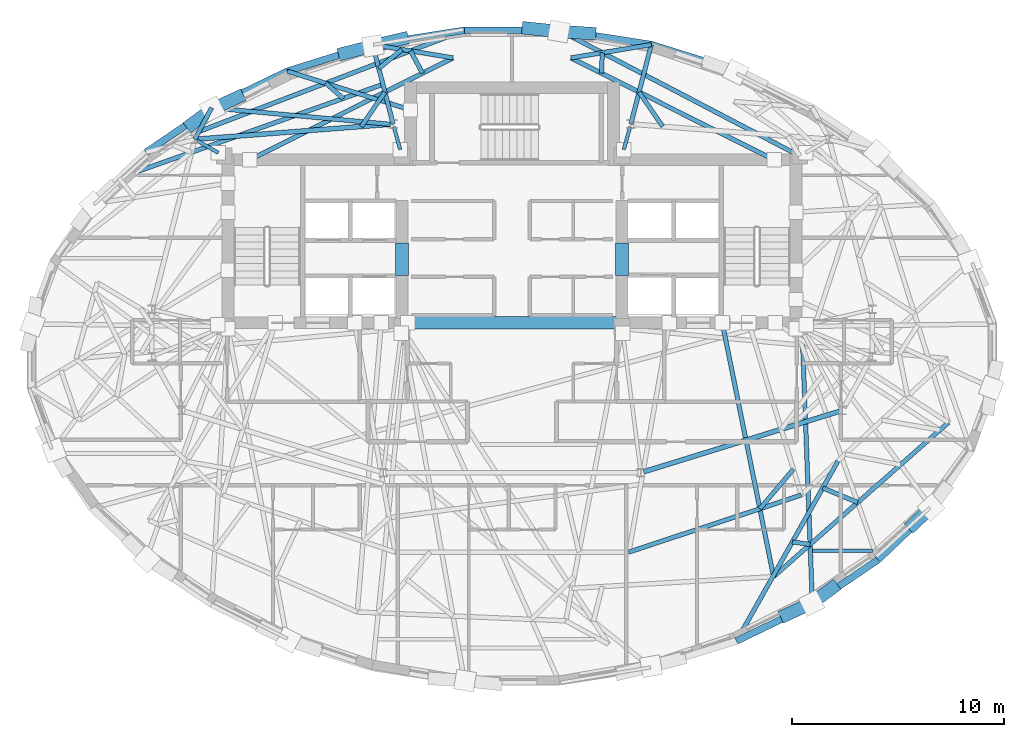
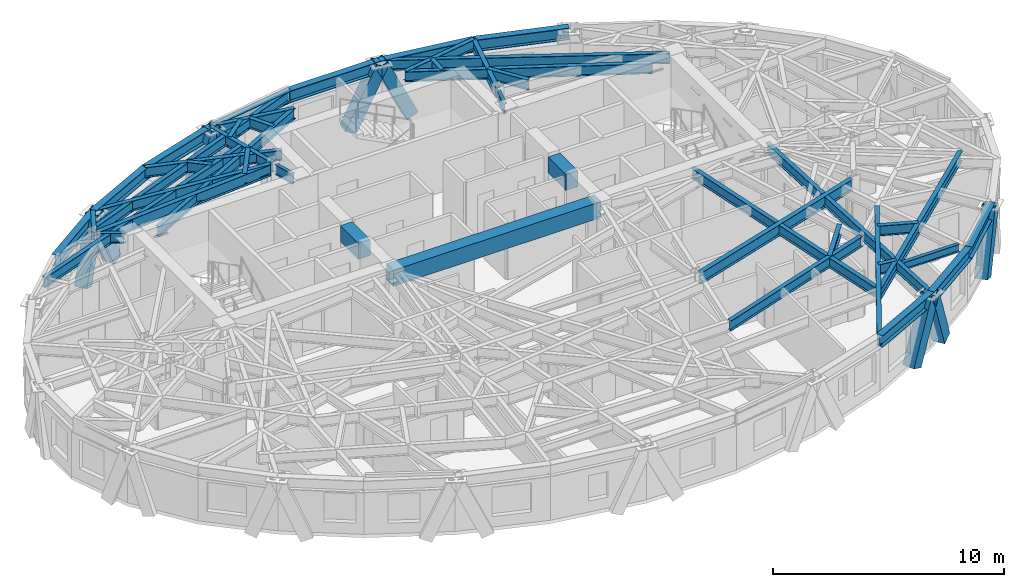
# One storey, part 3 of 14: 45 beams, 9 members.
"""IFC4 building model written with IfcOpenShell, lengths in metres."""

from ifc_helpers import new_model, si_unit, direction, frame, origin, origin_2d, place, context, subcontext, project, spatial, rectangle, hollow_rectangle, i_section, extrude, material, material_profile, profile_set, type_object, element, save


model = new_model("IFC4")

# Units and contexts
model_context = context("Model", 3, precision=1e-05, world=origin(), true_north=direction((0.0, 1.0)))
body_context = subcontext(model_context, "Body", "Model", "MODEL_VIEW")
ifc_project = project(units=[si_unit("LENGTHUNIT", "METRE"), si_unit("AREAUNIT", "SQUARE_METRE"), si_unit("VOLUMEUNIT", "CUBIC_METRE"), si_unit("PLANEANGLEUNIT", "RADIAN"), si_unit("MASSUNIT", "GRAM", prefix="KILO")], contexts=[model_context])

# Site, building, storey
site_placement = place(None, origin())
site = spatial("IfcSite", under=ifc_project, at=site_placement, CompositionType="ELEMENT")
building_placement = place(site_placement, origin())
building = spatial("IfcBuilding", under=site, at=building_placement, Name="Keldmark Tower", CompositionType="ELEMENT")
storey_placement = place(building_placement, frame((0.0, 0.0, 222.60009765625)))
storey = spatial("IfcBuildingStorey", under=building, at=storey_placement, Name="L62", CompositionType="ELEMENT", Elevation=222.60009765625)

# Beams
ifc_material_1 = material(Name="Steel ASTM A992 Grade 50", Category="steel")
ifc_material_profile_1 = material_profile(ifc_material_1, i_section(OverallWidth=0.177978515625, OverallDepth=0.403076171875, WebThickness=0.007568359375, FlangeThickness=0.010986328125, at=origin_2d()), Name="W16X36")
ifc_profile_set_1 = profile_set([ifc_material_profile_1], Name="Steel ASTM A992 Grade 50")
beam_type_1 = type_object("IfcBeamType", Name="Composite Floor Joist W16X36", PredefinedType="JOIST", material=ifc_profile_set_1)
beam_1_placement = place(storey_placement, frame((14.199462890625, -9.199951171875, 2.768310546875), z_axis=(1.0, 0.0, 0.0), x_axis=(0.0, 1.0, 0.0)))
element("IfcBeam", 1, at=beam_1_placement, inside=storey, type_object=beam_type_1, Name="L62 Composite Floor Joist J04", PredefinedType="JOIST", context=body_context, shape_type="SweptSolid", body=[
    extrude(i_section(OverallWidth=0.177978515625, OverallDepth=0.403076171875, WebThickness=0.007568359375, FlangeThickness=0.010986328125, at=origin_2d()), origin(), (0.0, 0.0, 1.0), 2.846923828125),
])
ifc_material_2 = material(Name="Concrete C50/60", Category="concrete")
ifc_material_profile_2 = material_profile(ifc_material_2, rectangle(XDim=0.60009765625, YDim=0.85009765625, at=origin_2d()), Name="RCB600X850")
ifc_profile_set_2 = profile_set([ifc_material_profile_2], Name="Concrete C50/60")
beam_type_2 = type_object("IfcBeamType", Name="Core Coupling Beam RCB600X850", PredefinedType="USERDEFINED", material=ifc_profile_set_2)
for number, where, z_axis, x_axis, name in (
    (2, (-5.199951171875, 3.800048828125, 2.544921875), (0.0, 1.0, 0.0), (-1.0, 0.0, 0.0), "L62 West Core Coupling Beam"),
    (3, (5.199951171875, 3.800048828125, 2.544921875), (0.0, 1.0, 0.0), (-1.0, 0.0, 0.0), "L62 East Core Coupling Beam"),
):
    element("IfcBeam", number, at=place(storey_placement, frame(where, z_axis=z_axis, x_axis=x_axis)), inside=storey, type_object=beam_type_2, Name=name, ObjectType="COUPLING BEAM", PredefinedType="USERDEFINED", context=body_context, shape_type="SweptSolid", body=[
        extrude(rectangle(XDim=0.60009765625, YDim=0.85009765625, at=origin_2d()), origin(), (0.0, 0.0, 1.0), 1.550048828125),
    ])
beam_2_placement = place(storey_placement, frame((-5.199951171875, 1.574951171875, 2.544921875), z_axis=(1.0, 0.0, 0.0), x_axis=(0.0, 1.0, 0.0)))
element("IfcBeam", 4, at=beam_2_placement, inside=storey, type_object=beam_type_2, Name="L62 Central South Core Coupling Beam", ObjectType="COUPLING BEAM", PredefinedType="USERDEFINED", context=body_context, shape_type="SweptSolid", body=[
    extrude(rectangle(XDim=0.60009765625, YDim=0.85009765625, at=origin_2d()), origin(), (0.0, 0.0, 1.0), 10.39990234375),
])

# Members
ifc_material_3 = material(Name="Steel ASTM A572 Grade 50", Category="steel")
ifc_material_profile_3 = material_profile(ifc_material_3, hollow_rectangle(XDim=0.60009765625, YDim=0.60009765625, WallThickness=0.034912109375, at=origin_2d()), Name="BOX600X600X35")
ifc_profile_set_3 = profile_set([ifc_material_profile_3], Name="Steel ASTM A572 Grade 50")
member_type = type_object("IfcMemberType", Name="Diagrid Zone 4 Brace BOX600X600X35", PredefinedType="BRACE", material=ifc_profile_set_3)
member_1_placement = place(storey_placement, frame((3.69677734375, 15.248779296875, -0.260009765625), z_axis=(-0.428979212021, 0.0274314202, 0.902897753259), x_axis=(-0.063815463334, -0.997961716019, 0.0)))
element("IfcMember", 5, at=member_1_placement, inside=storey, type_object=member_type, Name="L62 Perimeter Diagrid Brace 04A", PredefinedType="BRACE", context=body_context, shape_type="SweptSolid", body=[
    extrude(hollow_rectangle(XDim=0.60009765625, YDim=0.60009765625, WallThickness=0.034912109375, at=origin_2d()), origin(), (0.0, 0.0, 1.0), 3.4443359375),
])
member_2_placement = place(storey_placement, frame((0.7470703125, 15.493896484375, -0.260009765625), z_axis=(0.430162368502, -0.044311608143, 0.901663361853), x_axis=(0.102469121645, 0.994736185684, 0.0)))
element("IfcMember", 6, at=member_2_placement, inside=storey, type_object=member_type, Name="L62 Perimeter Diagrid Brace 04B", PredefinedType="BRACE", context=body_context, shape_type="SweptSolid", body=[
    extrude(hollow_rectangle(XDim=0.60009765625, YDim=0.60009765625, WallThickness=0.034912109375, at=origin_2d()), origin(), (0.0, 0.0, 1.0), 3.448974609375),
])
member_3_placement = place(storey_placement, frame((-5.163818359375, 14.9990234375, -0.260009765625), z_axis=(-0.412280141765, -0.098056970592, 0.905764823353), x_axis=(0.231386114919, -0.972861997317, 0.0)))
element("IfcMember", 7, at=member_3_placement, inside=storey, type_object=member_type, Name="L62 Perimeter Diagrid Brace 05A", PredefinedType="BRACE", context=body_context, shape_type="SweptSolid", body=[
    extrude(hollow_rectangle(XDim=0.60009765625, YDim=0.60009765625, WallThickness=0.034912109375, at=origin_2d()), origin(), (0.0, 0.0, 1.0), 3.433349609375),
])
member_4_placement = place(storey_placement, frame((-7.940673828125, 14.31005859375, -0.260009765625), z_axis=(0.401657220744, 0.103789425883, 0.90988968128), x_axis=(-0.250185252225, 0.968197985729, 0.0)))
element("IfcMember", 8, at=member_4_placement, inside=storey, type_object=member_type, Name="L62 Perimeter Diagrid Brace 05B", PredefinedType="BRACE", context=body_context, shape_type="SweptSolid", body=[
    extrude(hollow_rectangle(XDim=0.60009765625, YDim=0.60009765625, WallThickness=0.034912109375, at=origin_2d()), origin(), (0.0, 0.0, 1.0), 3.417724609375),
])
member_5_placement = place(storey_placement, frame((-12.95068359375, 12.239501953125, -0.260009765625), z_axis=(-0.359989342364, -0.16521737539, 0.918210701448), x_axis=(0.417118375287, -0.908852166746, 0.0)))
element("IfcMember", 9, at=member_5_placement, inside=storey, type_object=member_type, Name="L62 Perimeter Diagrid Brace 06A", PredefinedType="BRACE", context=body_context, shape_type="SweptSolid", body=[
    extrude(hollow_rectangle(XDim=0.60009765625, YDim=0.60009765625, WallThickness=0.034912109375, at=origin_2d()), origin(), (0.0, 0.0, 1.0), 3.386962890625),
])
member_6_placement = place(storey_placement, frame((-15.1494140625, 10.952880859375, -0.260009765625), z_axis=(0.29575431153, 0.219334083452, 0.929742946759), x_axis=(-0.595677817731, 0.803223466704, 0.0)))
element("IfcMember", 10, at=member_6_placement, inside=storey, type_object=member_type, Name="L62 Perimeter Diagrid Brace 06B", PredefinedType="BRACE", context=body_context, shape_type="SweptSolid", body=[
    extrude(hollow_rectangle(XDim=0.60009765625, YDim=0.60009765625, WallThickness=0.034912109375, at=origin_2d()), origin(), (0.0, 0.0, 1.0), 3.344970703125),
])
member_7_placement = place(storey_placement, frame((12.95068359375, -12.239501953125, -0.260009765625), z_axis=(0.359989342364, 0.16521737539, 0.918210701448), x_axis=(-0.417118375287, 0.908852166746, 0.0)))
element("IfcMember", 11, at=member_7_placement, inside=storey, type_object=member_type, Name="L62 Perimeter Diagrid Brace 14A", PredefinedType="BRACE", context=body_context, shape_type="SweptSolid", body=[
    extrude(hollow_rectangle(XDim=0.60009765625, YDim=0.60009765625, WallThickness=0.034912109375, at=origin_2d()), origin(), (0.0, 0.0, 1.0), 3.386962890625),
])
member_8_placement = place(storey_placement, frame((15.1494140625, -10.952880859375, -0.260009765625), z_axis=(-0.29575431153, -0.219334083452, 0.929742946759), x_axis=(0.595677817731, -0.803223466704, 0.0)))
element("IfcMember", 12, at=member_8_placement, inside=storey, type_object=member_type, Name="L62 Perimeter Diagrid Brace 14B", PredefinedType="BRACE", context=body_context, shape_type="SweptSolid", body=[
    extrude(hollow_rectangle(XDim=0.60009765625, YDim=0.60009765625, WallThickness=0.034912109375, at=origin_2d()), origin(), (0.0, 0.0, 1.0), 3.344970703125),
])
member_9_placement = place(storey_placement, frame((18.95458984375, -7.965576171875, -0.260009765625), z_axis=(0.257250878837, 0.242416543261, 0.935444388989), x_axis=(-0.685811727675, 0.727779000922, 0.0)))
element("IfcMember", 13, at=member_9_placement, inside=storey, type_object=member_type, Name="L62 Perimeter Diagrid Brace 15A", PredefinedType="BRACE", context=body_context, shape_type="SweptSolid", body=[
    extrude(hollow_rectangle(XDim=0.60009765625, YDim=0.60009765625, WallThickness=0.034912109375, at=origin_2d()), origin(), (0.0, 0.0, 1.0), 3.324462890625),
])

# Beams
ifc_material_4 = material(Name="Steel ASTM A992 Grade 50", Category="steel")
ifc_material_profile_4 = material_profile(ifc_material_4, i_section(OverallWidth=0.22802734375, OverallDepth=0.60302734375, WebThickness=0.010498046875, FlangeThickness=0.014892578125, at=origin_2d()), Name="W24X68")
ifc_profile_set_4 = profile_set([ifc_material_profile_4], Name="Steel ASTM A992 Grade 50")
beam_type_3 = type_object("IfcBeamType", Name="Primary Floor Girder W24X68", PredefinedType="BEAM", material=ifc_profile_set_4)
beam_3_placement = place(storey_placement, frame((-5.75830078125, 10.956298828125, 2.66845703125), z_axis=(-0.997037147832, -0.076921556421, 0.0), x_axis=(0.076921556421, -0.997037147832, 0.0)))
element("IfcBeam", 14, at=beam_3_placement, inside=storey, type_object=beam_type_3, Name="L62 Floor Ring Girder FG-R04", PredefinedType="BEAM", context=body_context, shape_type="SweptSolid", body=[
    extrude(i_section(OverallWidth=0.22802734375, OverallDepth=0.60302734375, WebThickness=0.010498046875, FlangeThickness=0.014892578125, at=origin_2d()), origin(), (0.0, 0.0, 1.0), 9.125),
])
beam_4_placement = place(storey_placement, frame((6.223388671875, -5.471435546875, 2.66845703125), z_axis=(0.955383255089, 0.295368982622, 0.0), x_axis=(-0.295368982622, 0.955383255089, 0.0)))
element("IfcBeam", 15, at=beam_4_placement, inside=storey, type_object=beam_type_3, Name="L62 Floor Ring Girder FG-R10", PredefinedType="BEAM", context=body_context, shape_type="SweptSolid", body=[
    extrude(i_section(OverallWidth=0.22802734375, OverallDepth=0.60302734375, WebThickness=0.010498046875, FlangeThickness=0.014892578125, at=origin_2d()), origin(), (0.0, 0.0, 1.0), 9.69140625),
])
ifc_material_5 = material(Name="Steel ASTM A992 Grade 50", Category="steel")
ifc_material_profile_5 = material_profile(ifc_material_5, i_section(OverallWidth=0.166015625, OverallDepth=0.529052734375, WebThickness=0.009765625, FlangeThickness=0.013671875, at=origin_2d()), Name="W21X50")
ifc_profile_set_5 = profile_set([ifc_material_profile_5], Name="Steel ASTM A992 Grade 50")
beam_type_4 = type_object("IfcBeamType", Name="Radial Tie Girder W21X50", PredefinedType="BEAM", material=ifc_profile_set_5)
for number, where, z_axis, x_axis, name in (
    (16, (5.581298828125, 10.83203125, 2.705322265625), (-0.265936023434, -0.963990680163, 0.0), (0.963990680163, -0.265936023434, 0.0), "L62 Floor Radial Girder FG-C03"),
    (17, (-5.581298828125, 10.83203125, 2.705322265625), (0.265936023434, -0.963990680163, 0.0), (0.963990680163, 0.265936023434, 0.0), "L62 Floor Radial Girder FG-C04"),
):
    element("IfcBeam", number, at=place(storey_placement, frame(where, z_axis=z_axis, x_axis=x_axis)), inside=storey, type_object=beam_type_4, Name=name, PredefinedType="BEAM", context=body_context, shape_type="SweptSolid", body=[
        extrude(i_section(OverallWidth=0.166015625, OverallDepth=0.529052734375, WebThickness=0.009765625, FlangeThickness=0.013671875, at=origin_2d()), origin(), (0.0, 0.0, 1.0), 1.113525390625),
    ])
beam_5_placement = place(storey_placement, frame((-14.8740234375, 10.174560546875, 2.705322265625), z_axis=(0.869238046195, -0.494393789451, 0.0), x_axis=(0.494393789451, 0.869238046195, 0.0)))
element("IfcBeam", 18, at=beam_5_placement, inside=storey, type_object=beam_type_4, Name="L62 Floor Radial Girder FG-C05", PredefinedType="BEAM", context=body_context, shape_type="SweptSolid", body=[
    extrude(i_section(OverallWidth=0.166015625, OverallDepth=0.529052734375, WebThickness=0.009765625, FlangeThickness=0.013671875, at=origin_2d()), origin(), (0.0, 0.0, 1.0), 1.145751953125),
])
ifc_material_6 = material(Name="Steel ASTM A992 Grade 50", Category="steel")
ifc_material_profile_6 = material_profile(ifc_material_6, i_section(OverallWidth=0.2099609375, OverallDepth=0.537109375, WebThickness=0.010986328125, FlangeThickness=0.017333984375, at=origin_2d()), Name="W21X68")
ifc_profile_set_6 = profile_set([ifc_material_profile_6], Name="Steel ASTM A992 Grade 50")
beam_type_5 = type_object("IfcBeamType", Name="Radial Tie Girder W21X68", PredefinedType="BEAM", material=ifc_profile_set_6)
beam_6_placement = place(storey_placement, frame((5.526123046875, -9.263671875, 2.701416015625), z_axis=(0.949448730042, 0.313922138469, 0.0), x_axis=(-0.313922138469, 0.949448730042, 0.0)))
element("IfcBeam", 19, at=beam_6_placement, inside=storey, type_object=beam_type_5, Name="L62 Perimeter Collector Ring Beam CRG1-M10", PredefinedType="BEAM", context=body_context, shape_type="SweptSolid", body=[
    extrude(i_section(OverallWidth=0.2099609375, OverallDepth=0.537109375, WebThickness=0.010986328125, FlangeThickness=0.017333984375, at=origin_2d()), origin(), (0.0, 0.0, 1.0), 8.58056640625),
])
beam_7_placement = place(storey_placement, frame((13.30078125, -5.34814453125, 2.701416015625), z_axis=(-0.646861611228, -0.762607406153, 0.0), x_axis=(0.762607406153, -0.646861611228, 0.0)))
element("IfcBeam", 20, at=beam_7_placement, inside=storey, type_object=beam_type_5, Name="L62 Framing Pin Header PH-011", PredefinedType="BEAM", context=body_context, shape_type="SweptSolid", body=[
    extrude(i_section(OverallWidth=0.2099609375, OverallDepth=0.537109375, WebThickness=0.010986328125, FlangeThickness=0.017333984375, at=origin_2d()), origin(), (0.0, 0.0, 1.0), 2.450927734375),
])
beam_8_placement = place(storey_placement, frame((9.939208984375, 1.574951171875, 2.701416015625), z_axis=(0.197990966986, -0.980203844612, 0.0), x_axis=(0.980203844612, 0.197990966986, 0.0)))
element("IfcBeam", 21, at=beam_8_placement, inside=storey, type_object=beam_type_5, Name="L62 Sub-Ring Step Girder STP2-M11", PredefinedType="BEAM", context=body_context, shape_type="SweptSolid", body=[
    extrude(i_section(OverallWidth=0.2099609375, OverallDepth=0.537109375, WebThickness=0.010986328125, FlangeThickness=0.017333984375, at=origin_2d()), origin(), (0.0, 0.0, 1.0), 12.243408203125),
])
beam_9_placement = place(storey_placement, frame((12.36328125, -10.426025390625, 2.701416015625), z_axis=(0.750204523136, 0.661205848027, 0.0), x_axis=(-0.661205848027, 0.750204523136, 0.0)))
element("IfcBeam", 22, at=beam_9_placement, inside=storey, type_object=beam_type_5, Name="L62 Perimeter Collector Ring Beam CRG2-M11", PredefinedType="BEAM", context=body_context, shape_type="SweptSolid", body=[
    extrude(i_section(OverallWidth=0.2099609375, OverallDepth=0.537109375, WebThickness=0.010986328125, FlangeThickness=0.017333984375, at=origin_2d()), origin(), (0.0, 0.0, 1.0), 11.013916015625),
])
for number, where, z_axis, x_axis, name in (
    (23, (5.61865234375, 10.967041015625, 2.701416015625), (0.249270515115, 0.968433895676, 0.0), (-0.968433895676, 0.249270515115, 0.0), "L62 Perimeter Column Bracket RT-07"),
    (24, (-5.61865234375, 10.967041015625, 2.701416015625), (-0.249270515115, 0.968433895676, 0.0), (-0.968433895676, -0.249270515115, 0.0), "L62 Perimeter Column Bracket RT-10"),
):
    element("IfcBeam", number, at=place(storey_placement, frame(where, z_axis=z_axis, x_axis=x_axis)), inside=storey, type_object=beam_type_5, Name=name, PredefinedType="BEAM", context=body_context, shape_type="SweptSolid", body=[
        extrude(i_section(OverallWidth=0.2099609375, OverallDepth=0.537109375, WebThickness=0.010986328125, FlangeThickness=0.017333984375, at=origin_2d()), origin(), (0.0, 0.0, 1.0), 3.87744140625),
    ])
beam_10_placement = place(storey_placement, frame((-14.995849609375, 10.24365234375, 2.701416015625), z_axis=(0.47212516294, 0.881531525539, 0.0), x_axis=(-0.881531525539, 0.47212516294, 0.0)))
element("IfcBeam", 25, at=beam_10_placement, inside=storey, type_object=beam_type_5, Name="L62 Perimeter Column Bracket RT-12", PredefinedType="BEAM", context=body_context, shape_type="SweptSolid", body=[
    extrude(i_section(OverallWidth=0.2099609375, OverallDepth=0.537109375, WebThickness=0.010986328125, FlangeThickness=0.017333984375, at=origin_2d()), origin(), (0.0, 0.0, 1.0), 1.689453125),
])
beam_11_placement = place(storey_placement, frame((-6.101806640625, 12.844482421875, 2.701416015625), z_axis=(-0.942334916777, -0.334671338215, 0.0), x_axis=(0.334671338215, -0.942334916777, 0.0)))
element("IfcBeam", 26, at=beam_11_placement, inside=storey, type_object=beam_type_5, Name="L62 Intermediate Radial Step Girder RT-14M", PredefinedType="BEAM", context=body_context, shape_type="SweptSolid", body=[
    extrude(i_section(OverallWidth=0.2099609375, OverallDepth=0.537109375, WebThickness=0.010986328125, FlangeThickness=0.017333984375, at=origin_2d()), origin(), (0.0, 0.0, 1.0), 13.240234375),
])
beam_12_placement = place(storey_placement, frame((15.406982421875, -4.9580078125, 2.701416015625), z_axis=(-0.490887835504, -0.871222780323, 0.0), x_axis=(0.871222780323, -0.490887835504, 0.0)))
element("IfcBeam", 27, at=beam_12_placement, inside=storey, type_object=beam_type_5, Name="L62 Perimeter Radial Tie Girder RT-27", PredefinedType="BEAM", context=body_context, shape_type="SweptSolid", body=[
    extrude(i_section(OverallWidth=0.2099609375, OverallDepth=0.537109375, WebThickness=0.010986328125, FlangeThickness=0.017333984375, at=origin_2d()), origin(), (0.0, 0.0, 1.0), 9.765380859375),
])
beam_13_placement = place(storey_placement, frame((13.249755859375, -8.78662109375, 2.701416015625), z_axis=(0.99073734546, -0.135792165866, 0.0), x_axis=(0.135792165866, 0.99073734546, 0.0)))
element("IfcBeam", 28, at=beam_13_placement, inside=storey, type_object=beam_type_5, Name="L62 Framing Pin Header PH-033", PredefinedType="BEAM", context=body_context, shape_type="SweptSolid", body=[
    extrude(i_section(OverallWidth=0.2099609375, OverallDepth=0.537109375, WebThickness=0.010986328125, FlangeThickness=0.017333984375, at=origin_2d()), origin(), (0.0, 0.0, 1.0), 0.850341796875),
])
beam_14_placement = place(storey_placement, frame((13.699951171875, 1.574951171875, 2.701416015625), z_axis=(0.037417137657, -0.999299733718, 0.0), x_axis=(0.999299733718, 0.037417137657, 0.0)))
element("IfcBeam", 29, at=beam_14_placement, inside=storey, type_object=beam_type_5, Name="L62 Perimeter Radial Tie Girder RT-28", PredefinedType="BEAM", context=body_context, shape_type="SweptSolid", body=[
    extrude(i_section(OverallWidth=0.2099609375, OverallDepth=0.537109375, WebThickness=0.010986328125, FlangeThickness=0.017333984375, at=origin_2d()), origin(), (0.0, 0.0, 1.0), 13.317138671875),
])
beam_15_placement = place(storey_placement, frame((14.68798828125, -6.234375, 2.701416015625), z_axis=(0.923463992369, -0.383685098484, 0.0), x_axis=(0.383685098484, 0.923463992369, 0.0)))
element("IfcBeam", 30, at=beam_15_placement, inside=storey, type_object=beam_type_5, Name="L62 Framing Pin Header PH-034", PredefinedType="BEAM", context=body_context, shape_type="SweptSolid", body=[
    extrude(i_section(OverallWidth=0.2099609375, OverallDepth=0.537109375, WebThickness=0.010986328125, FlangeThickness=0.017333984375, at=origin_2d()), origin(), (0.0, 0.0, 1.0), 1.789306640625),
])
beam_16_placement = place(storey_placement, frame((7.122802734375, 10.85107421875, 2.701416015625), z_axis=(-0.565850749296, 0.824507689182, 0.0), x_axis=(-0.824507689182, -0.565850749296, 0.0)))
element("IfcBeam", 31, at=beam_16_placement, inside=storey, type_object=beam_type_5, Name="L62 Framing Pin Header PH-038", PredefinedType="BEAM", context=body_context, shape_type="SweptSolid", body=[
    extrude(i_section(OverallWidth=0.2099609375, OverallDepth=0.537109375, WebThickness=0.010986328125, FlangeThickness=0.017333984375, at=origin_2d()), origin(), (0.0, 0.0, 1.0), 1.9716796875),
])
beam_17_placement = place(storey_placement, frame((12.389404296875, 9.27490234375, 2.701416015625), z_axis=(-0.893831010947, 0.448403973966, 0.0), x_axis=(-0.448403973966, -0.893831010947, 0.0)))
element("IfcBeam", 32, at=beam_17_placement, inside=storey, type_object=beam_type_5, Name="L62 Crown Step Radial Girder RT-08RN2", PredefinedType="BEAM", context=body_context, shape_type="SweptSolid", body=[
    extrude(i_section(OverallWidth=0.2099609375, OverallDepth=0.537109375, WebThickness=0.010986328125, FlangeThickness=0.017333984375, at=origin_2d()), origin(), (0.0, 0.0, 1.0), 10.743408203125),
])
beam_18_placement = place(storey_placement, frame((2.78662109375, 14.09228515625, 2.701416015625), z_axis=(0.986528969078, 0.163586653398, 0.0), x_axis=(-0.163586653398, 0.986528969078, 0.0)))
element("IfcBeam", 33, at=beam_18_placement, inside=storey, type_object=beam_type_5, Name="L62 Crown Step Collector Chord RT-08RP2", PredefinedType="BEAM", context=body_context, shape_type="SweptSolid", body=[
    extrude(i_section(OverallWidth=0.2099609375, OverallDepth=0.537109375, WebThickness=0.010986328125, FlangeThickness=0.017333984375, at=origin_2d()), origin(), (0.0, 0.0, 1.0), 3.850341796875),
])
beam_19_placement = place(storey_placement, frame((4.22705078125, 13.369873046875, 2.701416015625), z_axis=(0.043076468497, 0.999071778133, 0.0), x_axis=(-0.999071778133, 0.043076468497, 0.0)))
element("IfcBeam", 34, at=beam_19_placement, inside=storey, type_object=beam_type_5, Name="L62 Framing Pin Header PH-039", PredefinedType="BEAM", context=body_context, shape_type="SweptSolid", body=[
    extrude(i_section(OverallWidth=0.2099609375, OverallDepth=0.537109375, WebThickness=0.010986328125, FlangeThickness=0.017333984375, at=origin_2d()), origin(), (0.0, 0.0, 1.0), 0.96923828125),
])
beam_20_placement = place(storey_placement, frame((13.425048828125, 9.550048828125, 2.701416015625), z_axis=(-0.886154165262, 0.46339054305, 0.0), x_axis=(-0.46339054305, -0.886154165262, 0.0)))
element("IfcBeam", 35, at=beam_20_placement, inside=storey, type_object=beam_type_5, Name="L62 Perimeter Radial Tie Girder RT-08R", PredefinedType="BEAM", context=body_context, shape_type="SweptSolid", body=[
    extrude(i_section(OverallWidth=0.2099609375, OverallDepth=0.537109375, WebThickness=0.010986328125, FlangeThickness=0.017333984375, at=origin_2d()), origin(), (0.0, 0.0, 1.0), 12.62548828125),
])
beam_21_placement = place(storey_placement, frame((-7.122802734375, 10.85107421875, 2.701416015625), z_axis=(0.565850749296, 0.824507689182, 0.0), x_axis=(-0.824507689182, 0.565850749296, 0.0)))
element("IfcBeam", 36, at=beam_21_placement, inside=storey, type_object=beam_type_5, Name="L62 Framing Pin Header PH-040", PredefinedType="BEAM", context=body_context, shape_type="SweptSolid", body=[
    extrude(i_section(OverallWidth=0.2099609375, OverallDepth=0.537109375, WebThickness=0.010986328125, FlangeThickness=0.017333984375, at=origin_2d()), origin(), (0.0, 0.0, 1.0), 1.9716796875),
])
beam_22_placement = place(storey_placement, frame((-12.389404296875, 9.27490234375, 2.701416015625), z_axis=(0.893831010947, 0.448403973966, 0.0), x_axis=(-0.448403973966, 0.893831010947, 0.0)))
element("IfcBeam", 37, at=beam_22_placement, inside=storey, type_object=beam_type_5, Name="L62 Crown Step Radial Girder RT-09RN1", PredefinedType="BEAM", context=body_context, shape_type="SweptSolid", body=[
    extrude(i_section(OverallWidth=0.2099609375, OverallDepth=0.537109375, WebThickness=0.010986328125, FlangeThickness=0.017333984375, at=origin_2d()), origin(), (0.0, 0.0, 1.0), 10.743408203125),
])
beam_23_placement = place(storey_placement, frame((-2.78662109375, 14.09228515625, 2.701416015625), z_axis=(-0.986528969078, 0.163586653398, 0.0), x_axis=(-0.163586653398, -0.986528969078, 0.0)))
element("IfcBeam", 38, at=beam_23_placement, inside=storey, type_object=beam_type_5, Name="L62 Crown Step Collector Chord RT-09RP1", PredefinedType="BEAM", context=body_context, shape_type="SweptSolid", body=[
    extrude(i_section(OverallWidth=0.2099609375, OverallDepth=0.537109375, WebThickness=0.010986328125, FlangeThickness=0.017333984375, at=origin_2d()), origin(), (0.0, 0.0, 1.0), 3.850341796875),
])
beam_24_placement = place(storey_placement, frame((-6.295166015625, 13.595703125, 2.701416015625), z_axis=(0.774026436255, 0.633153280002, 0.0), x_axis=(-0.633153280002, 0.774026436255, 0.0)))
element("IfcBeam", 39, at=beam_24_placement, inside=storey, type_object=beam_type_5, Name="L62 Framing Pin Header PH-041", PredefinedType="BEAM", context=body_context, shape_type="SweptSolid", body=[
    extrude(i_section(OverallWidth=0.2099609375, OverallDepth=0.537109375, WebThickness=0.010986328125, FlangeThickness=0.017333984375, at=origin_2d()), origin(), (0.0, 0.0, 1.0), 1.416015625),
])
beam_25_placement = place(storey_placement, frame((-4.22705078125, 13.369873046875, 2.701416015625), z_axis=(-0.474682362381, 0.880157176216, 0.0), x_axis=(-0.880157176216, -0.474682362381, 0.0)))
element("IfcBeam", 40, at=beam_25_placement, inside=storey, type_object=beam_type_5, Name="L62 Framing Pin Header PH-042", PredefinedType="BEAM", context=body_context, shape_type="SweptSolid", body=[
    extrude(i_section(OverallWidth=0.2099609375, OverallDepth=0.537109375, WebThickness=0.010986328125, FlangeThickness=0.017333984375, at=origin_2d()), origin(), (0.0, 0.0, 1.0), 1.199462890625),
])
beam_26_placement = place(storey_placement, frame((-14.79638671875, 10.615966796875, 2.701416015625), z_axis=(0.934486008333, 0.355999859873, 0.0), x_axis=(-0.355999859873, 0.934486008333, 0.0)))
element("IfcBeam", 41, at=beam_26_placement, inside=storey, type_object=beam_type_5, Name="L62 Perimeter Radial Tie Girder RT-09R", PredefinedType="BEAM", context=body_context, shape_type="SweptSolid", body=[
    extrude(i_section(OverallWidth=0.2099609375, OverallDepth=0.537109375, WebThickness=0.010986328125, FlangeThickness=0.017333984375, at=origin_2d()), origin(), (0.0, 0.0, 1.0), 13.440185546875),
])
beam_27_placement = place(storey_placement, frame((-5.75830078125, 10.956298828125, 2.701416015625), z_axis=(-0.99579320493, 0.091629105724, 0.0), x_axis=(-0.091629105724, -0.99579320493, 0.0)))
element("IfcBeam", 42, at=beam_27_placement, inside=storey, type_object=beam_type_5, Name="L62 Straddling Support Chord RT-11RB", PredefinedType="BEAM", context=body_context, shape_type="SweptSolid", body=[
    extrude(i_section(OverallWidth=0.2099609375, OverallDepth=0.537109375, WebThickness=0.010986328125, FlangeThickness=0.017333984375, at=origin_2d()), origin(), (0.0, 0.0, 1.0), 8.4755859375),
])
beam_28_placement = place(storey_placement, frame((-7.973388671875, 12.179931640625, 2.701416015625), z_axis=(-0.758833809893, 0.651284307322, 0.0), x_axis=(-0.651284307322, -0.758833809893, 0.0)))
element("IfcBeam", 43, at=beam_28_placement, inside=storey, type_object=beam_type_5, Name="L62 Framing Pin Header PH-043", PredefinedType="BEAM", context=body_context, shape_type="SweptSolid", body=[
    extrude(i_section(OverallWidth=0.2099609375, OverallDepth=0.537109375, WebThickness=0.010986328125, FlangeThickness=0.017333984375, at=origin_2d()), origin(), (0.0, 0.0, 1.0), 1.10107421875),
])
beam_29_placement = place(storey_placement, frame((-4.800048828125, 11.63330078125, 2.701416015625), z_axis=(-0.953735092493, 0.300648255187, 0.0), x_axis=(-0.300648255187, -0.953735092493, 0.0)))
element("IfcBeam", 44, at=beam_29_placement, inside=storey, type_object=beam_type_5, Name="L62 Perimeter Radial Tie Girder RT-11R", PredefinedType="BEAM", context=body_context, shape_type="SweptSolid", body=[
    extrude(i_section(OverallWidth=0.2099609375, OverallDepth=0.537109375, WebThickness=0.010986328125, FlangeThickness=0.017333984375, at=origin_2d()), origin(), (0.0, 0.0, 1.0), 6.09521484375),
])
ifc_material_7 = material(Name="Steel ASTM A992 Grade 50", Category="steel")
ifc_material_profile_7 = material_profile(ifc_material_7, i_section(OverallWidth=0.326904296875, OverallDepth=0.6220703125, WebThickness=0.015380859375, FlangeThickness=0.0244140625, at=origin_2d()), Name="W24X131")
ifc_profile_set_7 = profile_set([ifc_material_profile_7], Name="Steel ASTM A992 Grade 50")
beam_type_6 = type_object("IfcBeamType", Name="Spandrel Ring Beam W24X131", PredefinedType="SPANDREL", material=ifc_profile_set_7)
beam_30_placement = place(storey_placement, frame((10.61328125, 13.4658203125, 2.658935546875), z_axis=(-0.954643532685, 0.297751113352, 0.0), x_axis=(-0.297751113352, -0.954643532685, 0.0)))
element("IfcBeam", 45, at=beam_30_placement, inside=storey, type_object=beam_type_6, Name="L62 Perimeter Spandrel Ring Beam SRB-06", PredefinedType="SPANDREL", context=body_context, shape_type="SweptSolid", body=[
    extrude(i_section(OverallWidth=0.326904296875, OverallDepth=0.6220703125, WebThickness=0.015380859375, FlangeThickness=0.0244140625, at=origin_2d()), origin(), (0.0, 0.0, 1.0), 4.219482421875),
])
beam_31_placement = place(storey_placement, frame((6.585205078125, 14.72216796875, 2.658935546875), z_axis=(-0.988045590858, 0.15416196154, 0.0), x_axis=(-0.15416196154, -0.988045590858, 0.0)))
element("IfcBeam", 46, at=beam_31_placement, inside=storey, type_object=beam_type_6, Name="L62 Perimeter Spandrel Ring Beam SRB-07", PredefinedType="SPANDREL", context=body_context, shape_type="SweptSolid", body=[
    extrude(i_section(OverallWidth=0.326904296875, OverallDepth=0.6220703125, WebThickness=0.015380859375, FlangeThickness=0.0244140625, at=origin_2d()), origin(), (0.0, 0.0, 1.0), 4.40087890625),
])
beam_32_placement = place(storey_placement, frame((2.23681640625, 15.400634765625, 2.658935546875), z_axis=(-1.0, 0.0, 0.0), x_axis=(0.0, -1.0, 0.0)))
element("IfcBeam", 47, at=beam_32_placement, inside=storey, type_object=beam_type_6, Name="L62 Perimeter Spandrel Ring Beam SRB-08", PredefinedType="SPANDREL", context=body_context, shape_type="SweptSolid", body=[
    extrude(i_section(OverallWidth=0.326904296875, OverallDepth=0.6220703125, WebThickness=0.015380859375, FlangeThickness=0.0244140625, at=origin_2d()), origin(), (0.0, 0.0, 1.0), 4.4736328125),
])
beam_33_placement = place(storey_placement, frame((-2.23681640625, 15.400634765625, 2.658935546875), z_axis=(-0.988045590858, -0.15416196154, 0.0), x_axis=(0.15416196154, -0.988045590858, 0.0)))
element("IfcBeam", 48, at=beam_33_placement, inside=storey, type_object=beam_type_6, Name="L62 Perimeter Spandrel Ring Beam SRB-09", PredefinedType="SPANDREL", context=body_context, shape_type="SweptSolid", body=[
    extrude(i_section(OverallWidth=0.326904296875, OverallDepth=0.6220703125, WebThickness=0.015380859375, FlangeThickness=0.0244140625, at=origin_2d()), origin(), (0.0, 0.0, 1.0), 4.40087890625),
])
beam_34_placement = place(storey_placement, frame((-6.585205078125, 14.72216796875, 2.658935546875), z_axis=(-0.954643532685, -0.297751113352, 0.0), x_axis=(0.297751113352, -0.954643532685, 0.0)))
element("IfcBeam", 49, at=beam_34_placement, inside=storey, type_object=beam_type_6, Name="L62 Perimeter Spandrel Ring Beam SRB-10", PredefinedType="SPANDREL", context=body_context, shape_type="SweptSolid", body=[
    extrude(i_section(OverallWidth=0.326904296875, OverallDepth=0.6220703125, WebThickness=0.015380859375, FlangeThickness=0.0244140625, at=origin_2d()), origin(), (0.0, 0.0, 1.0), 4.219482421875),
])
beam_35_placement = place(storey_placement, frame((-10.61328125, 13.4658203125, 2.658935546875), z_axis=(-0.900331335269, -0.435205108808, 0.0), x_axis=(0.435205108808, -0.900331335269, 0.0)))
element("IfcBeam", 50, at=beam_35_placement, inside=storey, type_object=beam_type_6, Name="L62 Perimeter Spandrel Ring Beam SRB-11", PredefinedType="SPANDREL", context=body_context, shape_type="SweptSolid", body=[
    extrude(i_section(OverallWidth=0.326904296875, OverallDepth=0.6220703125, WebThickness=0.015380859375, FlangeThickness=0.0244140625, at=origin_2d()), origin(), (0.0, 0.0, 1.0), 3.98193359375),
])
beam_36_placement = place(storey_placement, frame((-14.1982421875, 11.73291015625, 2.658935546875), z_axis=(-0.827635686249, -0.561265686504, 0.0), x_axis=(0.561265686504, -0.827635686249, 0.0)))
element("IfcBeam", 51, at=beam_36_placement, inside=storey, type_object=beam_type_6, Name="L62 Perimeter Spandrel Ring Beam SRB-12", PredefinedType="SPANDREL", context=body_context, shape_type="SweptSolid", body=[
    extrude(i_section(OverallWidth=0.326904296875, OverallDepth=0.6220703125, WebThickness=0.015380859375, FlangeThickness=0.0244140625, at=origin_2d()), origin(), (0.0, 0.0, 1.0), 3.748779296875),
])
beam_37_placement = place(storey_placement, frame((10.61328125, -13.4658203125, 2.658935546875), z_axis=(0.900331335269, 0.435205108808, 0.0), x_axis=(-0.435205108808, 0.900331335269, 0.0)))
element("IfcBeam", 52, at=beam_37_placement, inside=storey, type_object=beam_type_6, Name="L62 Perimeter Spandrel Ring Beam SRB-27", PredefinedType="SPANDREL", context=body_context, shape_type="SweptSolid", body=[
    extrude(i_section(OverallWidth=0.326904296875, OverallDepth=0.6220703125, WebThickness=0.015380859375, FlangeThickness=0.0244140625, at=origin_2d()), origin(), (0.0, 0.0, 1.0), 3.98193359375),
])
beam_38_placement = place(storey_placement, frame((14.1982421875, -11.73291015625, 2.658935546875), z_axis=(0.827635686249, 0.561265686504, 0.0), x_axis=(-0.561265686504, 0.827635686249, 0.0)))
element("IfcBeam", 53, at=beam_38_placement, inside=storey, type_object=beam_type_6, Name="L62 Perimeter Spandrel Ring Beam SRB-28", PredefinedType="SPANDREL", context=body_context, shape_type="SweptSolid", body=[
    extrude(i_section(OverallWidth=0.326904296875, OverallDepth=0.6220703125, WebThickness=0.015380859375, FlangeThickness=0.0244140625, at=origin_2d()), origin(), (0.0, 0.0, 1.0), 3.748779296875),
])
beam_39_placement = place(storey_placement, frame((17.30078125, -9.62890625, 2.658935546875), z_axis=(0.724503260132, 0.689271373306, 0.0), x_axis=(-0.689271373306, 0.724503260132, 0.0)))
element("IfcBeam", 54, at=beam_39_placement, inside=storey, type_object=beam_type_6, Name="L62 Perimeter Spandrel Ring Beam SRB-29", PredefinedType="SPANDREL", context=body_context, shape_type="SweptSolid", body=[
    extrude(i_section(OverallWidth=0.326904296875, OverallDepth=0.6220703125, WebThickness=0.015380859375, FlangeThickness=0.0244140625, at=origin_2d()), origin(), (0.0, 0.0, 1.0), 3.527099609375),
])

save(model, "model.ifc")
